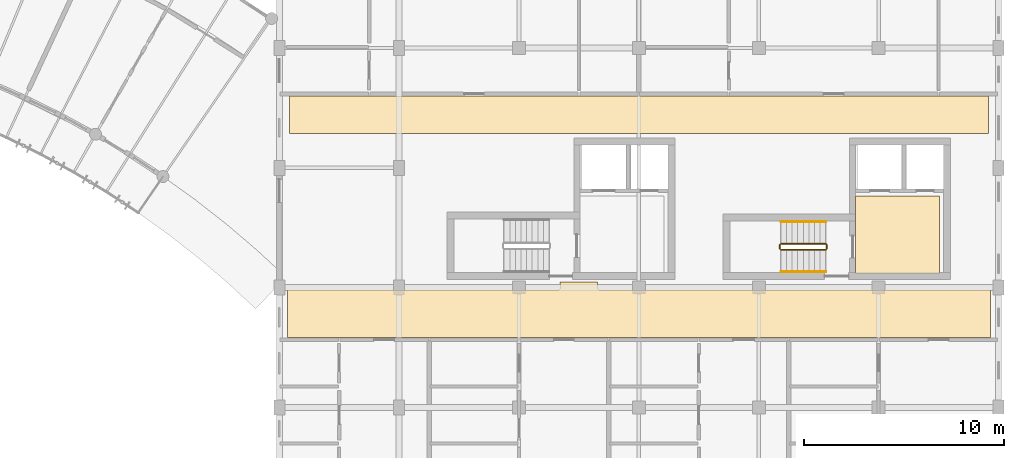
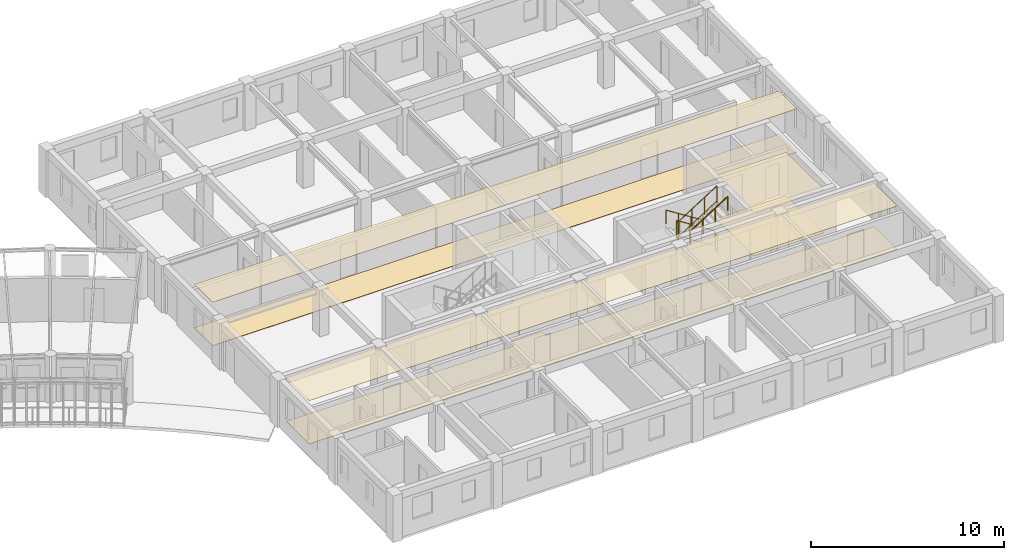
# One storey, part 99 of 100: 6 coverings, 6 railings.
"""IFC4 building model written with IfcOpenShell, lengths in metres."""

from ifc_helpers import new_model, si_unit, direction, frame, origin, origin_2d, place, context, subcontext, project, spatial, polyline, circle, outline, extrude, material, layer, layer_set, type_object, element, save


model = new_model("IFC4")

# Units and contexts
model_context = context("Model", 3, precision=1e-05, world=origin(), true_north=direction((0.0, 1.0)))
body_context = subcontext(model_context, "Body", "Model", "MODEL_VIEW")
ifc_project = project(units=[si_unit("LENGTHUNIT", "METRE"), si_unit("AREAUNIT", "SQUARE_METRE"), si_unit("VOLUMEUNIT", "CUBIC_METRE"), si_unit("PLANEANGLEUNIT", "RADIAN"), si_unit("MASSUNIT", "GRAM", prefix="KILO"), si_unit("POWERUNIT", "WATT"), si_unit("THERMODYNAMICTEMPERATUREUNIT", "KELVIN")], contexts=[model_context])

# Site, building, storey
site_placement = place(None, origin())
site = spatial("IfcSite", under=ifc_project, at=site_placement, CompositionType="ELEMENT")
building_placement = place(site_placement, origin())
building = spatial("IfcBuilding", under=site, at=building_placement, Name="Ruvembo Vaulted Housing Court", CompositionType="ELEMENT")
storey_placement = place(building_placement, frame((0.0, 0.0, 14.10009765625)))
storey = spatial("IfcBuildingStorey", under=building, at=storey_placement, Name="L04", CompositionType="ELEMENT", Elevation=14.10009765625)

# Coverings
ifc_material_1 = material(Name="Perforated Mineral-Fibre Acoustic Tile", Category="gypsum")
ifc_layer_1 = layer(ifc_material_1, 0.02001953125, Name="Perforated Mineral-Fibre Acoustic Tile")
ifc_layer_set_1 = layer_set([ifc_layer_1], Name="Perforated Mineral-Fibre Acoustic Tile")
covering_type_1 = type_object("IfcCoveringType", Name="COV-CEIL-ACOUST", PredefinedType="CEILING", material=ifc_layer_set_1)
covering_1_placement = place(storey_placement, frame((0.0, 0.0, 2.75)))
element("IfcCovering", 1, at=covering_1_placement, inside=storey, type_object=covering_type_1, Name="Protected Core Lobby D2 Ceiling", PredefinedType="CEILING", context=body_context, shape_type="SweptSolid", body=[
    extrude(outline(polyline([(183.050048828125, 88.60009765625), (178.85009765625, 88.60009765625), (178.85009765625, 84.699951171875), (183.050048828125, 84.699951171875), (183.050048828125, 88.60009765625)])), origin(), (0.0, 0.0, 1.0), 0.02001953125),
])
covering_2_placement = place(storey_placement, frame((0.0, 0.0, 2.744873046875)))
element("IfcCovering", 2, at=covering_2_placement, inside=storey, type_object=covering_type_1, Name="Block D L04 Corridor Ceiling", PredefinedType="CEILING", context=body_context, shape_type="SweptSolid", body=[
    extrude(outline(polyline([(185.590087890625, 81.510009765625), (185.590087890625, 83.889892578125), (166.050048828125, 83.889892578125), (166.039306640625, 83.890380859375), (166.028564453125, 83.89208984375), (166.01806640625, 83.894775390625), (166.0078125, 83.8984375), (165.998046875, 83.903076171875), (165.989013671875, 83.908447265625), (165.980224609375, 83.9150390625), (165.97216796875, 83.922119140625), (165.965087890625, 83.93017578125), (165.95849609375, 83.93896484375), (165.952880859375, 83.947998046875), (165.948486328125, 83.9580078125), (165.944580078125, 83.968017578125), (165.942138671875, 83.978515625), (165.9404296875, 83.9892578125), (165.93994140625, 84.0), (165.93994140625, 84.2900390625), (164.06005859375, 84.2900390625), (164.06005859375, 84.0), (164.0595703125, 83.9892578125), (164.057861328125, 83.978515625), (164.055419921875, 83.968017578125), (164.051513671875, 83.9580078125), (164.047119140625, 83.947998046875), (164.04150390625, 83.93896484375), (164.034912109375, 83.93017578125), (164.02783203125, 83.922119140625), (164.019775390625, 83.9150390625), (164.010986328125, 83.908447265625), (164.001953125, 83.903076171875), (163.9921875, 83.8984375), (163.98193359375, 83.894775390625), (163.971435546875, 83.89208984375), (163.960693359375, 83.890380859375), (163.949951171875, 83.889892578125), (150.409912109375, 83.889892578125), (150.409912109375, 81.510009765625), (185.590087890625, 81.510009765625)])), origin(), (0.0, 0.0, 1.0), 0.02001953125),
])
covering_3_placement = place(storey_placement, frame((0.0, 0.0, 2.744873046875)))
element("IfcCovering", 3, at=covering_3_placement, inside=storey, type_object=covering_type_1, Name="Block D L04 North Sub-Corridor Ceiling", PredefinedType="CEILING", context=body_context, shape_type="SweptSolid", body=[
    extrude(outline(polyline([(150.510009765625, 91.7099609375), (185.489990234375, 91.7099609375), (185.489990234375, 93.590087890625), (150.510009765625, 93.590087890625), (150.510009765625, 91.7099609375)])), origin(), (0.0, 0.0, 1.0), 0.02001953125),
])
ifc_material_2 = material(Name="Polished Cement-Aggregate Terrazzo", Category="stone")
ifc_layer_2 = layer(ifc_material_2, 0.02197265625, Name="Polished Cement-Aggregate Terrazzo")
ifc_layer_set_2 = layer_set([ifc_layer_2], Name="Polished Cement-Aggregate Terrazzo")
covering_type_2 = type_object("IfcCoveringType", Name="COV-FLR-CERAMIC", PredefinedType="FLOORING", material=ifc_layer_set_2)
covering_4_placement = place(storey_placement, origin())
element("IfcCovering", 4, at=covering_4_placement, inside=storey, type_object=covering_type_2, Name="Protected Core Lobby D2 Flooring", PredefinedType="FLOORING", context=body_context, shape_type="SweptSolid", body=[
    extrude(outline(polyline([(183.050048828125, 88.60009765625), (178.85009765625, 88.60009765625), (178.85009765625, 84.699951171875), (183.050048828125, 84.699951171875), (183.050048828125, 88.60009765625)])), origin(), (0.0, 0.0, 1.0), 0.02197265625),
])
covering_5_placement = place(storey_placement, origin())
element("IfcCovering", 5, at=covering_5_placement, inside=storey, type_object=covering_type_2, Name="Block D L04 Corridor Flooring", PredefinedType="FLOORING", context=body_context, shape_type="SweptSolid", body=[
    extrude(outline(polyline([(185.590087890625, 81.510009765625), (185.590087890625, 83.889892578125), (166.050048828125, 83.889892578125), (166.039306640625, 83.890380859375), (166.028564453125, 83.89208984375), (166.01806640625, 83.894775390625), (166.0078125, 83.8984375), (165.998046875, 83.903076171875), (165.989013671875, 83.908447265625), (165.980224609375, 83.9150390625), (165.97216796875, 83.922119140625), (165.965087890625, 83.93017578125), (165.95849609375, 83.93896484375), (165.952880859375, 83.947998046875), (165.948486328125, 83.9580078125), (165.944580078125, 83.968017578125), (165.942138671875, 83.978515625), (165.9404296875, 83.9892578125), (165.93994140625, 84.0), (165.93994140625, 84.2900390625), (164.06005859375, 84.2900390625), (164.06005859375, 84.0), (164.0595703125, 83.9892578125), (164.057861328125, 83.978515625), (164.055419921875, 83.968017578125), (164.051513671875, 83.9580078125), (164.047119140625, 83.947998046875), (164.04150390625, 83.93896484375), (164.034912109375, 83.93017578125), (164.02783203125, 83.922119140625), (164.019775390625, 83.9150390625), (164.010986328125, 83.908447265625), (164.001953125, 83.903076171875), (163.9921875, 83.8984375), (163.98193359375, 83.894775390625), (163.971435546875, 83.89208984375), (163.960693359375, 83.890380859375), (163.949951171875, 83.889892578125), (150.409912109375, 83.889892578125), (150.409912109375, 81.510009765625), (185.590087890625, 81.510009765625)])), origin(), (0.0, 0.0, 1.0), 0.02197265625),
])
covering_6_placement = place(storey_placement, origin())
element("IfcCovering", 6, at=covering_6_placement, inside=storey, type_object=covering_type_2, Name="Block D L04 North Sub-Corridor Flooring", PredefinedType="FLOORING", context=body_context, shape_type="SweptSolid", body=[
    extrude(outline(polyline([(150.510009765625, 91.7099609375), (185.489990234375, 91.7099609375), (185.489990234375, 93.590087890625), (150.510009765625, 93.590087890625), (150.510009765625, 91.7099609375)])), origin(), (0.0, 0.0, 1.0), 0.02197265625),
])

# Railings
ifc_material_3 = material(Name="Painted Galvanised Steel S275", Category="steel")
ifc_layer_3 = layer(ifc_material_3, 0.06005859375, Name="Painted Galvanised Steel S275")
ifc_layer_set_3 = layer_set([ifc_layer_3], Name="Painted Galvanised Steel S275")
railing_type_1 = type_object("IfcRailingType", Name="RL-STAIR-GR1100", PredefinedType="GUARDRAIL", material=ifc_layer_set_3)
railing_1_placement = place(storey_placement, frame((177.35009765625, 86.199951171875, 0.177734375)))
element("IfcRailing", 7, at=railing_1_placement, inside=storey, type_object=railing_type_1, Name="L04 ST-D2 stair guard 1", PredefinedType="GUARDRAIL", context=body_context, shape_type="SweptSolid", body=[
    extrude(circle(Radius=0.02392578125, at=origin_2d()), frame((0.0, 0.0, 1.076171875), z_axis=(-0.8442293374, 0.0, 0.53598211339), x_axis=(0.0, -1.0, 0.0)), (0.0, 0.0, 1.0), 2.6533203125),
    extrude(circle(Radius=0.01806640625, at=origin_2d()), frame((0.0, 0.0, 0.1201171875), z_axis=(-0.8442293374, 0.0, 0.53598211339), x_axis=(0.0, -1.0, 0.0)), (0.0, 0.0, 1.0), 2.6533203125),
    extrude(circle(Radius=0.02099609375, at=origin_2d()), origin(), (0.0, 0.0, 1.0), 1.052001953125),
    extrude(circle(Radius=0.02099609375, at=origin_2d()), frame((-0.74658203125, 0.0, 0.47412109375)), (0.0, 0.0, 1.0), 1.052001953125),
    extrude(circle(Radius=0.02099609375, at=origin_2d()), frame((-1.493408203125, 0.0, 0.947998046875)), (0.0, 0.0, 1.0), 1.052001953125),
    extrude(circle(Radius=0.02099609375, at=origin_2d()), frame((-2.239990234375, 0.0, 1.422119140625)), (0.0, 0.0, 1.0), 1.052001953125),
])
railing_2_placement = place(storey_placement, frame((175.06005859375, 86.14990234375, 1.599853515625)))
element("IfcRailing", 8, at=railing_2_placement, inside=storey, type_object=railing_type_1, Name="L04 ST-D2 stair guard 2", PredefinedType="GUARDRAIL", context=body_context, shape_type="SweptSolid", body=[
    extrude(circle(Radius=0.02392578125, at=origin_2d()), frame((0.0, 0.0, 1.076171875), z_axis=(0.0, -1.0, 0.0), x_axis=(1.0, 0.0, 0.0)), (0.0, 0.0, 1.0), 0.199951171875),
    extrude(circle(Radius=0.01806640625, at=origin_2d()), frame((0.0, 0.0, 0.1201171875), z_axis=(0.0, -1.0, 0.0), x_axis=(1.0, 0.0, 0.0)), (0.0, 0.0, 1.0), 0.199951171875),
    extrude(circle(Radius=0.02099609375, at=origin_2d()), origin(), (0.0, 0.0, 1.0), 1.052001953125),
    extrude(circle(Radius=0.02099609375, at=origin_2d()), frame((0.0, -0.199951171875, 0.0)), (0.0, 0.0, 1.0), 1.052001953125),
])
railing_3_placement = place(storey_placement, frame((175.110107421875, 85.89990234375, 1.777587890625)))
element("IfcRailing", 9, at=railing_3_placement, inside=storey, type_object=railing_type_1, Name="L04 ST-D2 stair guard 3", PredefinedType="GUARDRAIL", context=body_context, shape_type="SweptSolid", body=[
    extrude(circle(Radius=0.02392578125, at=origin_2d()), frame((0.0, 0.0, 1.076171875), z_axis=(0.84418770128, 0.0, 0.536047689118), x_axis=(0.0, 1.0, 0.0)), (0.0, 0.0, 1.0), 2.6533203125),
    extrude(circle(Radius=0.01806640625, at=origin_2d()), frame((0.0, 0.0, 0.1201171875), z_axis=(0.84418770128, 0.0, 0.536047689118), x_axis=(0.0, 1.0, 0.0)), (0.0, 0.0, 1.0), 2.6533203125),
    extrude(circle(Radius=0.02099609375, at=origin_2d()), origin(), (0.0, 0.0, 1.0), 1.052001953125),
    extrude(circle(Radius=0.02099609375, at=origin_2d()), frame((0.74658203125, 0.0, 0.47412109375)), (0.0, 0.0, 1.0), 1.052001953125),
    extrude(circle(Radius=0.02099609375, at=origin_2d()), frame((1.493408203125, 0.0, 0.9482421875)), (0.0, 0.0, 1.0), 1.052001953125),
    extrude(circle(Radius=0.02099609375, at=origin_2d()), frame((2.239990234375, 0.0, 1.42236328125)), (0.0, 0.0, 1.0), 1.052001953125),
])
railing_4_placement = place(storey_placement, frame((177.39990234375, 86.14990234375, 0.0)))
element("IfcRailing", 10, at=railing_4_placement, inside=storey, type_object=railing_type_1, Name="L04 ST-D2 stair guard 4", PredefinedType="GUARDRAIL", context=body_context, shape_type="SweptSolid", body=[
    extrude(circle(Radius=0.02392578125, at=origin_2d()), frame((0.0, 0.0, 1.076171875), z_axis=(0.0, -1.0, 0.0), x_axis=(1.0, 0.0, 0.0)), (0.0, 0.0, 1.0), 0.199951171875),
    extrude(circle(Radius=0.01806640625, at=origin_2d()), frame((0.0, 0.0, 0.1201171875), z_axis=(0.0, -1.0, 0.0), x_axis=(1.0, 0.0, 0.0)), (0.0, 0.0, 1.0), 0.199951171875),
    extrude(circle(Radius=0.02099609375, at=origin_2d()), origin(), (0.0, 0.0, 1.0), 1.052001953125),
    extrude(circle(Radius=0.02099609375, at=origin_2d()), frame((0.0, -0.199951171875, 0.0)), (0.0, 0.0, 1.0), 1.052001953125),
])
ifc_material_4 = material(Name="Brushed Stainless Steel 304", Category="steel")
ifc_layer_4 = layer(ifc_material_4, 0.050048828125, Name="Brushed Stainless Steel 304")
ifc_layer_set_4 = layer_set([ifc_layer_4], Name="Brushed Stainless Steel 304")
railing_type_2 = type_object("IfcRailingType", Name="RL-STAIR-HR920", PredefinedType="HANDRAIL", material=ifc_layer_set_4)
railing_5_placement = place(storey_placement, frame((177.35009765625, 87.300048828125, 0.359130859375)))
element("IfcRailing", 11, at=railing_5_placement, inside=storey, type_object=railing_type_2, Name="L04 ST-D2 stair handrail 1", PredefinedType="HANDRAIL", context=body_context, shape_type="SweptSolid", body=[
    extrude(circle(Radius=0.02392578125, at=origin_2d()), frame((0.0, 0.0, 0.8759765625), z_axis=(-0.84418770128, 0.0, 0.536047689118), x_axis=(0.0, -1.0, 0.0)), (0.0, 0.0, 1.0), 2.6533203125),
    extrude(circle(Radius=0.02099609375, at=origin_2d()), origin(), (0.0, 0.0, 1.0), 0.851806640625),
    extrude(circle(Radius=0.02099609375, at=origin_2d()), frame((-0.74658203125, 0.0, 0.47412109375)), (0.0, 0.0, 1.0), 0.851806640625),
    extrude(circle(Radius=0.02099609375, at=origin_2d()), frame((-1.493408203125, 0.0, 0.9482421875)), (0.0, 0.0, 1.0), 0.851806640625),
    extrude(circle(Radius=0.02099609375, at=origin_2d()), frame((-2.239990234375, 0.0, 1.42236328125)), (0.0, 0.0, 1.0), 0.851806640625),
])
railing_6_placement = place(storey_placement, frame((175.110107421875, 84.800048828125, 1.959228515625)))
element("IfcRailing", 12, at=railing_6_placement, inside=storey, type_object=railing_type_2, Name="L04 ST-D2 stair handrail 2", PredefinedType="HANDRAIL", context=body_context, shape_type="SweptSolid", body=[
    extrude(circle(Radius=0.02392578125, at=origin_2d()), frame((0.0, 0.0, 0.8759765625), z_axis=(0.8442293374, 0.0, 0.53598211339), x_axis=(0.0, 1.0, 0.0)), (0.0, 0.0, 1.0), 2.6533203125),
    extrude(circle(Radius=0.02099609375, at=origin_2d()), origin(), (0.0, 0.0, 1.0), 0.851806640625),
    extrude(circle(Radius=0.02099609375, at=origin_2d()), frame((0.74658203125, 0.0, 0.47412109375)), (0.0, 0.0, 1.0), 0.851806640625),
    extrude(circle(Radius=0.02099609375, at=origin_2d()), frame((1.493408203125, 0.0, 0.947998046875)), (0.0, 0.0, 1.0), 0.851806640625),
    extrude(circle(Radius=0.02099609375, at=origin_2d()), frame((2.239990234375, 0.0, 1.422119140625)), (0.0, 0.0, 1.0), 0.851806640625),
])

save(model, "model.ifc")
